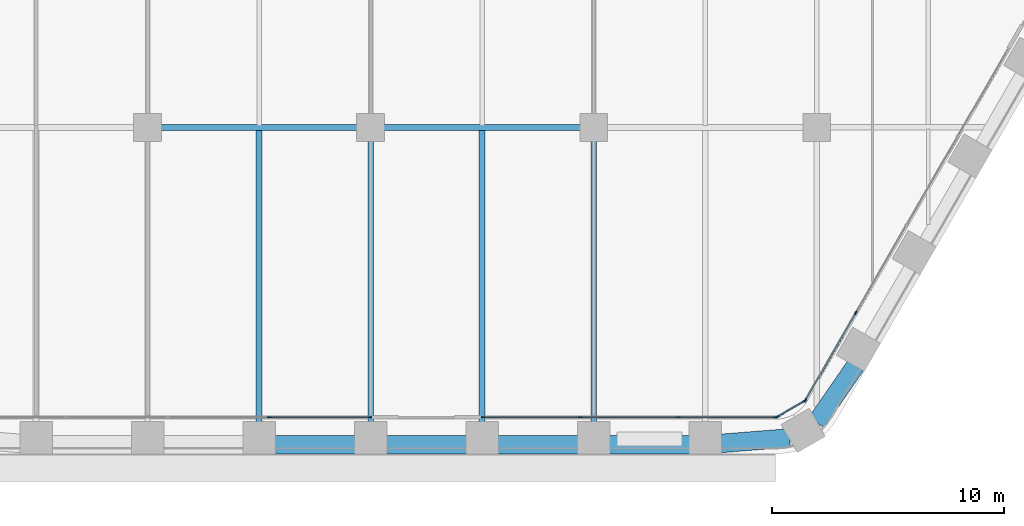
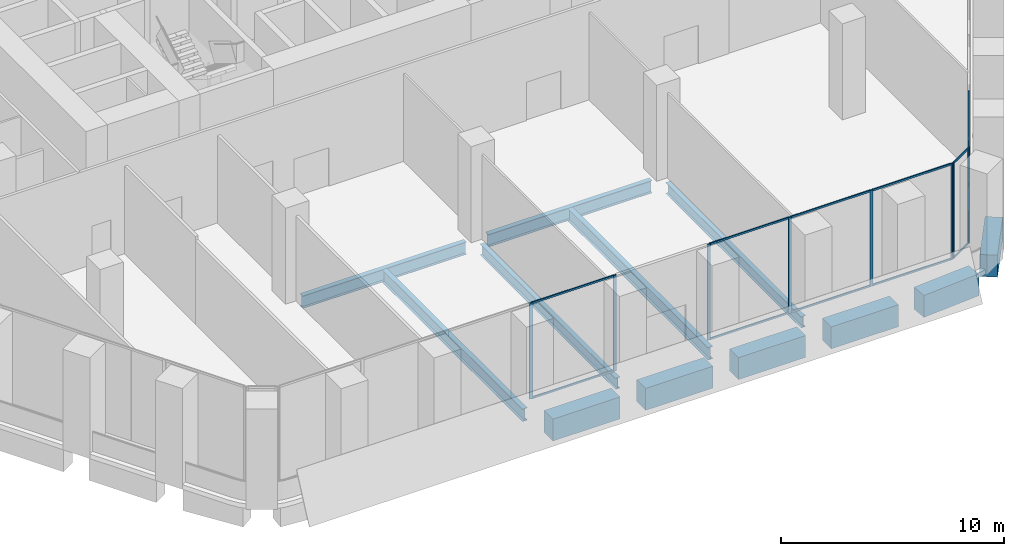
# One storey, part 4 of 27: 22 members, 12 beams, 4 elements without a shape of their own.
"""IFC4 building model written with IfcOpenShell, lengths in metres."""

from ifc_helpers import new_model, si_unit, direction, frame, origin, origin_2d, place, context, subcontext, project, spatial, rectangle, i_section, extrude, material, material_profile, profile_set, type_object, element, aggregate, save


model = new_model("IFC4")

# Units and contexts
model_context = context("Model", 3, precision=1e-05, world=origin(), true_north=direction((0.0, 1.0)))
body_context = subcontext(model_context, "Body", "Model", "MODEL_VIEW")
ifc_project = project(units=[si_unit("LENGTHUNIT", "METRE"), si_unit("AREAUNIT", "SQUARE_METRE"), si_unit("VOLUMEUNIT", "CUBIC_METRE"), si_unit("PLANEANGLEUNIT", "RADIAN"), si_unit("MASSUNIT", "GRAM", prefix="KILO")], contexts=[model_context])

# Site, building, storey
site_placement = place(None, origin())
site = spatial("IfcSite", under=ifc_project, at=site_placement, CompositionType="ELEMENT")
building_placement = place(site_placement, origin())
building = spatial("IfcBuilding", under=site, at=building_placement, Name="Kolab Exchange Tower", CompositionType="ELEMENT")
storey_placement = place(building_placement, frame((0.0, 0.0, 27.89990234375)))
storey = spatial("IfcBuildingStorey", under=building, at=storey_placement, Name="L05", CompositionType="ELEMENT", Elevation=27.89990234375)

# Beams
ifc_material_1 = material(Name="Steel S355", Category="steel")
ifc_material_profile_1 = material_profile(ifc_material_1, i_section(OverallWidth=0.22802734375, OverallDepth=0.60791015625, WebThickness=0.01123046875, FlangeThickness=0.017333984375, at=origin_2d()), Name="W610X113")
ifc_profile_set_1 = profile_set([ifc_material_profile_1], Name="Steel S355")
beam_type_1 = type_object("IfcBeamType", Name="FLOOR BEAM W610X113", PredefinedType="BEAM", material=ifc_profile_set_1)
for number, where, z_axis, x_axis, name in (
    (1, (0.0, -31.8955078125, -0.553955078125), (0.0, 1.0, 0.0), (-1.0, 0.0, 0.0), "beam/L05/fr/030"),
    (2, (9.60009765625, -31.8955078125, -0.553955078125), (0.0, 1.0, 0.0), (-1.0, 0.0, 0.0), "beam/L05/fr/038"),
):
    element("IfcBeam", number, at=place(storey_placement, frame(where, z_axis=z_axis, x_axis=x_axis)), inside=storey, type_object=beam_type_1, Name=name, PredefinedType="BEAM", context=body_context, shape_type="SweptSolid", body=[
        extrude(i_section(OverallWidth=0.22802734375, OverallDepth=0.60791015625, WebThickness=0.01123046875, FlangeThickness=0.017333984375, at=origin_2d()), origin(), (0.0, 0.0, 1.0), 12.135498046875),
    ])
ifc_material_profile_2 = material_profile(ifc_material_1, i_section(OverallWidth=0.25390625, OverallDepth=0.68408203125, WebThickness=0.012451171875, FlangeThickness=0.018798828125, at=origin_2d()), Name="W690X140")
ifc_profile_set_2 = profile_set([ifc_material_profile_2], Name="Steel S355")
beam_type_2 = type_object("IfcBeamType", Name="FLOOR BEAM W690X140", PredefinedType="BEAM", material=ifc_profile_set_2)
for number, where, z_axis, x_axis, name in (
    (3, (-4.800048828125, -31.8955078125, -0.591796875), (0.0, 1.0, 0.0), (-1.0, 0.0, 0.0), "beam/L05/fr/026"),
    (4, (4.800048828125, -31.8955078125, -0.591796875), (0.0, 1.0, 0.0), (-1.0, 0.0, 0.0), "beam/L05/fr/034"),
):
    element("IfcBeam", number, at=place(storey_placement, frame(where, z_axis=z_axis, x_axis=x_axis)), inside=storey, type_object=beam_type_2, Name=name, PredefinedType="BEAM", context=body_context, shape_type="SweptSolid", body=[
        extrude(i_section(OverallWidth=0.25390625, OverallDepth=0.68408203125, WebThickness=0.012451171875, FlangeThickness=0.018798828125, at=origin_2d()), origin(), (0.0, 0.0, 1.0), 12.6083984375),
    ])
ifc_material_profile_3 = material_profile(ifc_material_1, i_section(OverallWidth=0.25390625, OverallDepth=0.68408203125, WebThickness=0.012451171875, FlangeThickness=0.018798828125, at=origin_2d()), Name="W690X140")
ifc_profile_set_3 = profile_set([ifc_material_profile_3], Name="Steel S355")
beam_type_3 = type_object("IfcBeamType", Name="FLOOR GIRDER W690X140", PredefinedType="BEAM", material=ifc_profile_set_3)
for number, where, z_axis, x_axis, name in (
    (5, (-9.0400390625, -19.199951171875, -0.591796875), (1.0, 0.0, 0.0), (0.0, 1.0, 0.0), "beam/L05/gd/011"),
    (6, (0.56005859375, -19.199951171875, -0.591796875), (1.0, 0.0, 0.0), (0.0, 1.0, 0.0), "beam/L05/gd/013"),
):
    element("IfcBeam", number, at=place(storey_placement, frame(where, z_axis=z_axis, x_axis=x_axis)), inside=storey, type_object=beam_type_3, Name=name, PredefinedType="BEAM", context=body_context, shape_type="SweptSolid", body=[
        extrude(i_section(OverallWidth=0.25390625, OverallDepth=0.68408203125, WebThickness=0.012451171875, FlangeThickness=0.018798828125, at=origin_2d()), origin(), (0.0, 0.0, 1.0), 8.47998046875),
    ])
ifc_material_2 = material(Name="Concrete C80/95", Category="concrete")
ifc_material_profile_4 = material_profile(ifc_material_2, rectangle(XDim=0.800048828125, YDim=1.199951171875, at=origin_2d()), Name="RC800X1200")
ifc_profile_set_4 = profile_set([ifc_material_profile_4], Name="Concrete C80/95")
beam_type_4 = type_object("IfcBeamType", Name="SPANDREL BEAM 800X1200 C80/95", PredefinedType="BEAM", material=ifc_profile_set_4)
beam_1_placement = place(storey_placement, frame((20.8779296875, -29.44384765625, -0.849853515625), z_axis=(-0.567247290755, -0.823547516013, 0.0), x_axis=(0.823547516013, -0.567247290755, 0.0)))
element("IfcBeam", 7, at=beam_1_placement, inside=storey, type_object=beam_type_4, Name="beam/L05/sp/F3-08", PredefinedType="BEAM", context=body_context, shape_type="SweptSolid", body=[
    extrude(rectangle(XDim=0.800048828125, YDim=1.199951171875, at=origin_2d()), origin(), (0.0, 0.0, 1.0), 2.984375),
])
beam_2_placement = place(storey_placement, frame((18.03515625, -32.5654296875, -0.849853515625), z_axis=(-0.996833978278, -0.07951112973, 0.0), x_axis=(0.07951112973, -0.996833978278, 0.0)))
element("IfcBeam", 8, at=beam_2_placement, inside=storey, type_object=beam_type_4, Name="beam/L05/sp/F4-01", PredefinedType="BEAM", context=body_context, shape_type="SweptSolid", body=[
    extrude(rectangle(XDim=0.800048828125, YDim=1.199951171875, at=origin_2d()), origin(), (0.0, 0.0, 1.0), 2.984619140625),
])
for number, where, z_axis, x_axis, name in (
    (9, (13.739990234375, -32.85546875, -0.849853515625), (-1.0, 0.0, 0.0), (0.0, -1.0, 0.0), "beam/L05/sp/F4-02"),
    (10, (8.93994140625, -32.85546875, -0.849853515625), (-1.0, 0.0, 0.0), (0.0, -1.0, 0.0), "beam/L05/sp/F4-03"),
    (11, (4.139892578125, -32.85546875, -0.849853515625), (-1.0, 0.0, 0.0), (0.0, -1.0, 0.0), "beam/L05/sp/F4-04"),
    (12, (-0.659912109375, -32.85546875, -0.849853515625), (-1.0, 0.0, 0.0), (0.0, -1.0, 0.0), "beam/L05/sp/F4-05"),
):
    element("IfcBeam", number, at=place(storey_placement, frame(where, z_axis=z_axis, x_axis=x_axis)), inside=storey, type_object=beam_type_4, Name=name, PredefinedType="BEAM", context=body_context, shape_type="SweptSolid", body=[
        extrude(rectangle(XDim=0.800048828125, YDim=1.199951171875, at=origin_2d()), origin(), (0.0, 0.0, 1.0), 3.47998046875),
    ])

# Curtain wall, members
ifc_material_3 = material(Name="Aluminium EN AW-6063 T6", Category="aluminium")
curtain_wall_type = type_object("IfcCurtainWallType", Name="UNITISED LOW ZONE CURTAIN WALL", PredefinedType="NOTDEFINED", material=ifc_material_3)
curtain_wall_1_placement = place(storey_placement, origin())
curtain_wall_1 = element("IfcCurtainWall", 13, at=curtain_wall_1_placement, inside=storey, type_object=curtain_wall_type, Name="cw/L05/F3-2", PredefinedType="NOTDEFINED")
ifc_material_profile_5 = material_profile(ifc_material_3, rectangle(XDim=0.06005859375, YDim=0.159912109375, at=origin_2d()), Name="RECT 60X160")
ifc_profile_set_5 = profile_set([ifc_material_profile_5], Name="Aluminium EN AW-6063 T6")
member_type_1 = type_object("IfcMemberType", Name="UNITISED LOW ZONE MULLION 60 X 160", PredefinedType="MULLION", material=ifc_profile_set_5)
member_1_placement = place(storey_placement, frame((20.881103515625, -27.183349609375, 0.0), z_axis=(0.0, 0.0, 1.0), x_axis=(0.866025397318, -0.5000000112, 0.0)))
member_1 = element("IfcMember", 14, at=member_1_placement, type_object=member_type_1, Name="CW1 mullion 4", PredefinedType="MULLION", context=body_context, shape_type="SweptSolid", body=[
    extrude(rectangle(XDim=0.06005859375, YDim=0.159912109375, at=origin_2d()), origin(), (0.0, 0.0, 1.0), 5.25),
])
member_2_placement = place(storey_placement, frame((18.712646484375, -30.939453125, 0.0), z_axis=(0.0, 0.0, 1.0), x_axis=(0.866025397318, -0.5000000112, 0.0)))
member_2 = element("IfcMember", 15, at=member_2_placement, type_object=member_type_1, Name="CW1 mullion 5", PredefinedType="MULLION", context=body_context, shape_type="SweptSolid", body=[
    extrude(rectangle(XDim=0.06005859375, YDim=0.159912109375, at=origin_2d()), origin(), (0.0, 0.0, 1.0), 5.25),
])

curtain_wall_2_placement = place(storey_placement, origin())
curtain_wall_2 = element("IfcCurtainWall", 16, at=curtain_wall_2_placement, inside=storey, type_object=curtain_wall_type, Name="cw/L05/F4-1", PredefinedType="NOTDEFINED")
member_3_placement = place(storey_placement, frame((17.43798828125, -31.67529296875, 0.0), z_axis=(0.0, 0.0, 1.0), x_axis=(0.0, -1.0, 0.0)))
member_3 = element("IfcMember", 17, at=member_3_placement, type_object=member_type_1, Name="CW1 mullion 1", PredefinedType="MULLION", context=body_context, shape_type="SweptSolid", body=[
    extrude(rectangle(XDim=0.06005859375, YDim=0.159912109375, at=origin_2d()), origin(), (0.0, 0.0, 1.0), 5.25),
])
member_4_placement = place(storey_placement, frame((13.245361328125, -31.67529296875, 0.0), z_axis=(0.0, 0.0, 1.0), x_axis=(0.0, -1.0, 0.0)))
member_4 = element("IfcMember", 18, at=member_4_placement, type_object=member_type_1, Name="CW1 mullion 2", PredefinedType="MULLION", context=body_context, shape_type="SweptSolid", body=[
    extrude(rectangle(XDim=0.06005859375, YDim=0.159912109375, at=origin_2d()), origin(), (0.0, 0.0, 1.0), 5.25),
])
member_5_placement = place(storey_placement, frame((9.022705078125, -31.67529296875, 0.0), z_axis=(0.0, 0.0, 1.0), x_axis=(0.0, -1.0, 0.0)))
member_5 = element("IfcMember", 19, at=member_5_placement, type_object=member_type_1, Name="CW1 mullion 3", PredefinedType="MULLION", context=body_context, shape_type="SweptSolid", body=[
    extrude(rectangle(XDim=0.06005859375, YDim=0.159912109375, at=origin_2d()), origin(), (0.0, 0.0, 1.0), 5.25),
])
member_6_placement = place(storey_placement, frame((4.830078125, -31.67529296875, 0.0), z_axis=(0.0, 0.0, 1.0), x_axis=(0.0, -1.0, 0.0)))
member_6 = element("IfcMember", 20, at=member_6_placement, type_object=member_type_1, Name="CW1 mullion 4", PredefinedType="MULLION", context=body_context, shape_type="SweptSolid", body=[
    extrude(rectangle(XDim=0.06005859375, YDim=0.159912109375, at=origin_2d()), origin(), (0.0, 0.0, 1.0), 5.25),
])

curtain_wall_3_placement = place(storey_placement, origin())
curtain_wall_3 = element("IfcCurtainWall", 21, at=curtain_wall_3_placement, inside=storey, type_object=curtain_wall_type, Name="cw/L05/F4-2", PredefinedType="NOTDEFINED")
member_7_placement = place(storey_placement, frame((-0.030029296875, -31.67529296875, 0.0), z_axis=(0.0, 0.0, 1.0), x_axis=(0.0, -1.0, 0.0)))
member_7 = element("IfcMember", 22, at=member_7_placement, type_object=member_type_1, Name="CW1 mullion 1", PredefinedType="MULLION", context=body_context, shape_type="SweptSolid", body=[
    extrude(rectangle(XDim=0.06005859375, YDim=0.159912109375, at=origin_2d()), origin(), (0.0, 0.0, 1.0), 5.25),
])
member_8_placement = place(storey_placement, frame((-4.366943359375, -31.67529296875, 0.0), z_axis=(0.0, 0.0, 1.0), x_axis=(0.0, -1.0, 0.0)))
member_8 = element("IfcMember", 23, at=member_8_placement, type_object=member_type_1, Name="CW1 mullion 2", PredefinedType="MULLION", context=body_context, shape_type="SweptSolid", body=[
    extrude(rectangle(XDim=0.06005859375, YDim=0.159912109375, at=origin_2d()), origin(), (0.0, 0.0, 1.0), 5.25),
])

curtain_wall_4_placement = place(storey_placement, origin())
curtain_wall_4 = element("IfcCurtainWall", 24, at=curtain_wall_4_placement, inside=storey, type_object=curtain_wall_type, Name="cw/L05/F3F4-corner", PredefinedType="NOTDEFINED")
member_9_placement = place(storey_placement, frame((18.671630859375, -30.98046875, 0.0), z_axis=(0.0, 0.0, 1.0), x_axis=(0.50000002237, -0.866025390869, 0.0)))
member_9 = element("IfcMember", 25, at=member_9_placement, type_object=member_type_1, Name="CW1 mullion 1", PredefinedType="MULLION", context=body_context, shape_type="SweptSolid", body=[
    extrude(rectangle(XDim=0.06005859375, YDim=0.159912109375, at=origin_2d()), origin(), (0.0, 0.0, 1.0), 5.25),
])
member_10_placement = place(storey_placement, frame((17.493896484375, -31.660400390625, 0.0), z_axis=(0.0, 0.0, 1.0), x_axis=(0.50000002237, -0.866025390869, 0.0)))
member_10 = element("IfcMember", 26, at=member_10_placement, type_object=member_type_1, Name="CW1 mullion 2", PredefinedType="MULLION", context=body_context, shape_type="SweptSolid", body=[
    extrude(rectangle(XDim=0.06005859375, YDim=0.159912109375, at=origin_2d()), origin(), (0.0, 0.0, 1.0), 5.25),
])

# Member
ifc_material_profile_6 = material_profile(ifc_material_3, rectangle(XDim=0.06005859375, YDim=0.10009765625, at=origin_2d()), Name="RECT 60X100")
ifc_profile_set_6 = profile_set([ifc_material_profile_6], Name="Aluminium EN AW-6063 T6")
member_type_2 = type_object("IfcMemberType", Name="UNITISED LOW ZONE TRANSOM 60 X 100", PredefinedType="USERDEFINED", material=ifc_profile_set_6)
member_11_placement = place(storey_placement, frame((20.8662109375, -27.20947265625, 0.030029296875), z_axis=(-0.500000816281, -0.866024932504, 0.0), x_axis=(0.866024932504, -0.500000816281, 0.0)))
member_11 = element("IfcMember", 27, at=member_11_placement, type_object=member_type_2, Name="CW1 transom 4.1", ObjectType="TRANSOM", PredefinedType="USERDEFINED", context=body_context, shape_type="SweptSolid", body=[
    extrude(rectangle(XDim=0.06005859375, YDim=0.10009765625, at=origin_2d()), origin(), (0.0, 0.0, 1.0), 4.27685546875),
])

member_12_placement = place(storey_placement, frame((20.8662109375, -27.20947265625, 5.22021484375), z_axis=(-0.500000816281, -0.866024932504, 0.0), x_axis=(0.866024932504, -0.500000816281, 0.0)))
member_12 = element("IfcMember", 28, at=member_12_placement, type_object=member_type_2, Name="CW1 transom 4.2", ObjectType="TRANSOM", PredefinedType="USERDEFINED", context=body_context, shape_type="SweptSolid", body=[
    extrude(rectangle(XDim=0.06005859375, YDim=0.10009765625, at=origin_2d()), origin(), (0.0, 0.0, 1.0), 4.27685546875),
])

aggregate(curtain_wall_1, [member_1, member_2, member_11, member_12])

member_13_placement = place(storey_placement, frame((17.407958984375, -31.67529296875, 0.030029296875), z_axis=(-1.0, 0.0, 0.0), x_axis=(0.0, -1.0, 0.0)))
member_13 = element("IfcMember", 29, at=member_13_placement, type_object=member_type_2, Name="CW1 transom 1.1", ObjectType="TRANSOM", PredefinedType="USERDEFINED", context=body_context, shape_type="SweptSolid", body=[
    extrude(rectangle(XDim=0.06005859375, YDim=0.10009765625, at=origin_2d()), origin(), (0.0, 0.0, 1.0), 4.132568359375),
])

member_14_placement = place(storey_placement, frame((17.407958984375, -31.67529296875, 5.22021484375), z_axis=(-1.0, 0.0, 0.0), x_axis=(0.0, -1.0, 0.0)))
member_14 = element("IfcMember", 30, at=member_14_placement, type_object=member_type_2, Name="CW1 transom 1.2", ObjectType="TRANSOM", PredefinedType="USERDEFINED", context=body_context, shape_type="SweptSolid", body=[
    extrude(rectangle(XDim=0.06005859375, YDim=0.10009765625, at=origin_2d()), origin(), (0.0, 0.0, 1.0), 4.132568359375),
])

member_15_placement = place(storey_placement, frame((13.21533203125, -31.67529296875, 0.030029296875), z_axis=(-1.0, 0.0, 0.0), x_axis=(0.0, -1.0, 0.0)))
member_15 = element("IfcMember", 31, at=member_15_placement, type_object=member_type_2, Name="CW1 transom 2.1", ObjectType="TRANSOM", PredefinedType="USERDEFINED", context=body_context, shape_type="SweptSolid", body=[
    extrude(rectangle(XDim=0.06005859375, YDim=0.10009765625, at=origin_2d()), origin(), (0.0, 0.0, 1.0), 4.16259765625),
])

member_16_placement = place(storey_placement, frame((13.21533203125, -31.67529296875, 5.22021484375), z_axis=(-1.0, 0.0, 0.0), x_axis=(0.0, -1.0, 0.0)))
member_16 = element("IfcMember", 32, at=member_16_placement, type_object=member_type_2, Name="CW1 transom 2.2", ObjectType="TRANSOM", PredefinedType="USERDEFINED", context=body_context, shape_type="SweptSolid", body=[
    extrude(rectangle(XDim=0.06005859375, YDim=0.10009765625, at=origin_2d()), origin(), (0.0, 0.0, 1.0), 4.16259765625),
])

member_17_placement = place(storey_placement, frame((8.99267578125, -31.67529296875, 0.030029296875), z_axis=(-1.0, 0.0, 0.0), x_axis=(0.0, -1.0, 0.0)))
member_17 = element("IfcMember", 33, at=member_17_placement, type_object=member_type_2, Name="CW1 transom 3.1", ObjectType="TRANSOM", PredefinedType="USERDEFINED", context=body_context, shape_type="SweptSolid", body=[
    extrude(rectangle(XDim=0.06005859375, YDim=0.10009765625, at=origin_2d()), origin(), (0.0, 0.0, 1.0), 4.132568359375),
])

member_18_placement = place(storey_placement, frame((8.99267578125, -31.67529296875, 5.22021484375), z_axis=(-1.0, 0.0, 0.0), x_axis=(0.0, -1.0, 0.0)))
member_18 = element("IfcMember", 34, at=member_18_placement, type_object=member_type_2, Name="CW1 transom 3.2", ObjectType="TRANSOM", PredefinedType="USERDEFINED", context=body_context, shape_type="SweptSolid", body=[
    extrude(rectangle(XDim=0.06005859375, YDim=0.10009765625, at=origin_2d()), origin(), (0.0, 0.0, 1.0), 4.132568359375),
])

aggregate(curtain_wall_2, [member_3, member_4, member_5, member_6, member_13, member_14, member_15, member_16, member_17, member_18])

member_19_placement = place(storey_placement, frame((-0.06005859375, -31.67529296875, 0.030029296875), z_axis=(-1.0, 0.0, 0.0), x_axis=(0.0, -1.0, 0.0)))
member_19 = element("IfcMember", 35, at=member_19_placement, type_object=member_type_2, Name="CW1 transom 1.1", ObjectType="TRANSOM", PredefinedType="USERDEFINED", context=body_context, shape_type="SweptSolid", body=[
    extrude(rectangle(XDim=0.06005859375, YDim=0.10009765625, at=origin_2d()), origin(), (0.0, 0.0, 1.0), 4.27685546875),
])

member_20_placement = place(storey_placement, frame((-0.06005859375, -31.67529296875, 5.22021484375), z_axis=(-1.0, 0.0, 0.0), x_axis=(0.0, -1.0, 0.0)))
member_20 = element("IfcMember", 36, at=member_20_placement, type_object=member_type_2, Name="CW1 transom 1.2", ObjectType="TRANSOM", PredefinedType="USERDEFINED", context=body_context, shape_type="SweptSolid", body=[
    extrude(rectangle(XDim=0.06005859375, YDim=0.10009765625, at=origin_2d()), origin(), (0.0, 0.0, 1.0), 4.27685546875),
])

aggregate(curtain_wall_3, [member_7, member_8, member_19, member_20])

member_21_placement = place(storey_placement, frame((18.645751953125, -30.995361328125, 0.030029296875), z_axis=(-0.86603858612, -0.49997716683, 0.0), x_axis=(0.49997716683, -0.86603858612, 0.0)))
member_21 = element("IfcMember", 37, at=member_21_placement, type_object=member_type_2, Name="CW1 transom 1.1", ObjectType="TRANSOM", PredefinedType="USERDEFINED", context=body_context, shape_type="SweptSolid", body=[
    extrude(rectangle(XDim=0.06005859375, YDim=0.10009765625, at=origin_2d()), origin(), (0.0, 0.0, 1.0), 1.2998046875),
])

member_22_placement = place(storey_placement, frame((18.645751953125, -30.995361328125, 5.22021484375), z_axis=(-0.86603858612, -0.49997716683, 0.0), x_axis=(0.49997716683, -0.86603858612, 0.0)))
member_22 = element("IfcMember", 38, at=member_22_placement, type_object=member_type_2, Name="CW1 transom 1.2", ObjectType="TRANSOM", PredefinedType="USERDEFINED", context=body_context, shape_type="SweptSolid", body=[
    extrude(rectangle(XDim=0.06005859375, YDim=0.10009765625, at=origin_2d()), origin(), (0.0, 0.0, 1.0), 1.2998046875),
])

aggregate(curtain_wall_4, [member_9, member_10, member_21, member_22])

save(model, "model.ifc")
